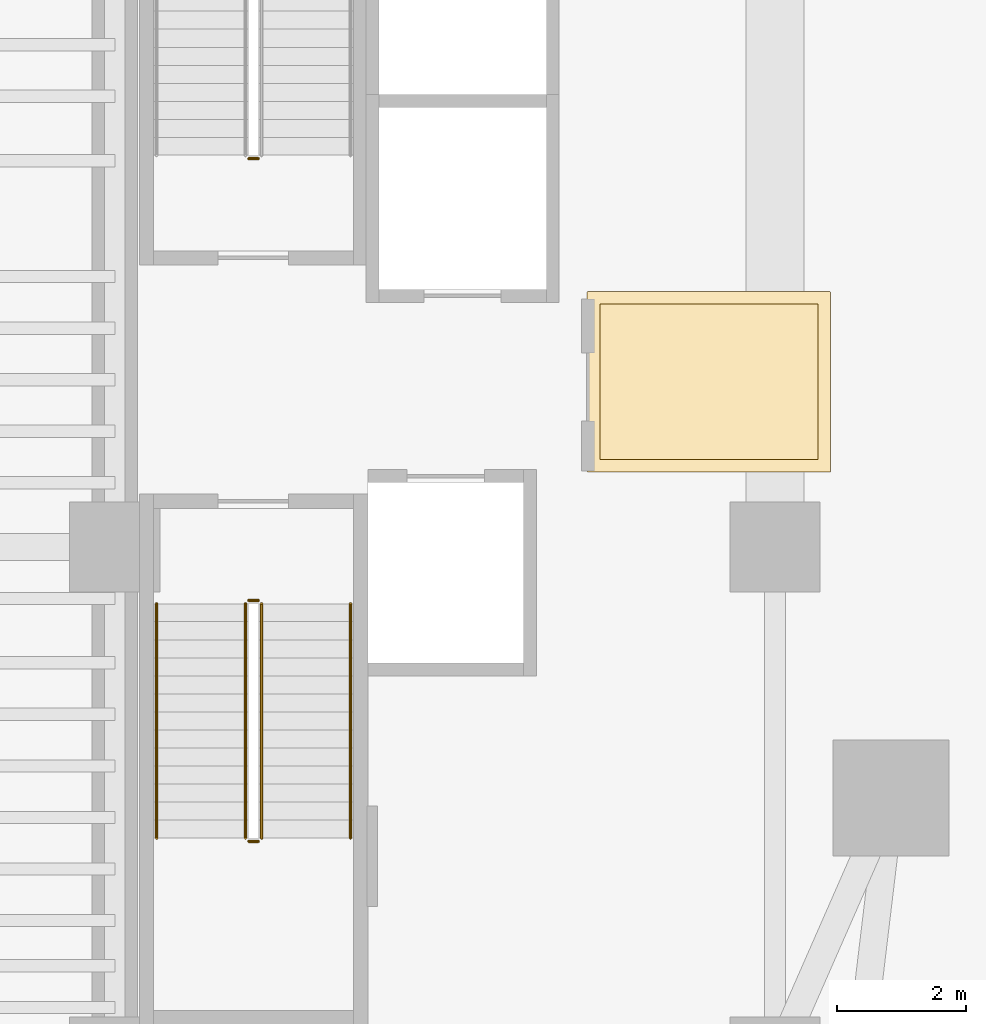
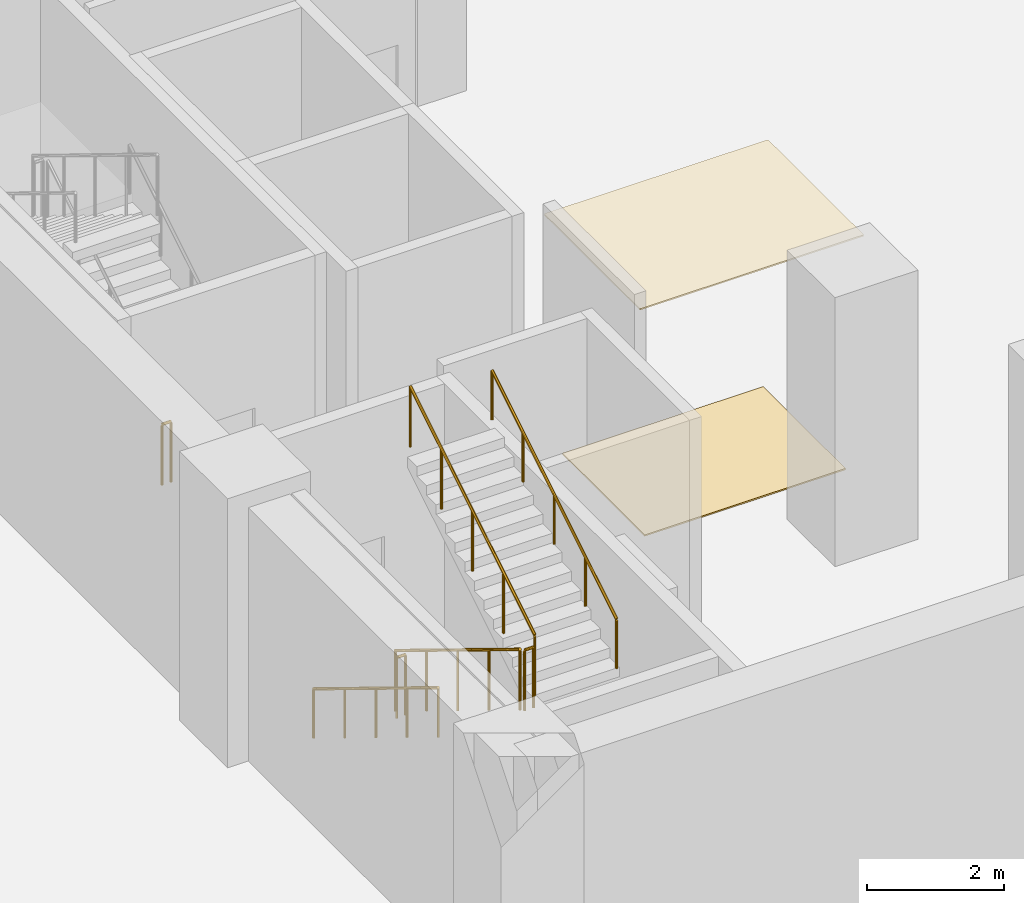
# One storey, part 7 of 10: 7 railings, 2 coverings.
"""IFC4 building model written with IfcOpenShell, lengths in metres."""

from ifc_helpers import new_model, si_unit, direction, frame, origin, origin_2d, place, context, subcontext, project, spatial, polyline, circle, outline, extrude, material, layer, layer_set, type_object, element, save


model = new_model("IFC4")

# Units and contexts
model_context = context("Model", 3, precision=1e-05, world=origin(), true_north=direction((0.0, 1.0)))
body_context = subcontext(model_context, "Body", "Model", "MODEL_VIEW")
ifc_project = project(units=[si_unit("LENGTHUNIT", "METRE"), si_unit("AREAUNIT", "SQUARE_METRE"), si_unit("VOLUMEUNIT", "CUBIC_METRE"), si_unit("PLANEANGLEUNIT", "RADIAN"), si_unit("MASSUNIT", "GRAM", prefix="KILO")], contexts=[model_context])

# Site, building, storey
site_placement = place(None, origin())
site = spatial("IfcSite", under=ifc_project, at=site_placement, CompositionType="ELEMENT")
building_placement = place(site_placement, origin())
building = spatial("IfcBuilding", under=site, at=building_placement, Name="Valdorenza Pilgrim Sanctuary Tower", CompositionType="ELEMENT")
storey_placement = place(building_placement, frame((0.0, 0.0, -4.800048828125)))
storey = spatial("IfcBuildingStorey", under=building, at=storey_placement, Name="B01", CompositionType="ELEMENT", Elevation=-4.800048828125)

# Coverings
ifc_material_1 = material(Name="Micro-perforated acoustic mineral ceiling tile", Category="gypsum")
ifc_layer_1 = layer(ifc_material_1, 0.02490234375, Name="Micro-perforated acoustic mineral ceiling tile")
ifc_layer_set_1 = layer_set([ifc_layer_1], Name="Micro-perforated acoustic mineral ceiling tile")
covering_type_1 = type_object("IfcCoveringType", Name="COV-CLG-ACU", PredefinedType="CEILING", material=ifc_layer_set_1)
covering_1_placement = place(storey_placement, frame((0.0, 0.0, 4.219970703125)))
element("IfcCovering", 1, at=covering_1_placement, inside=storey, type_object=covering_type_1, Name="B01 Core A Passenger Lift Lobby Acoustic Ceiling", PredefinedType="CEILING", context=body_context, shape_type="SweptSolid", body=[
    extrude(outline(polyline([(-15.31494140625, 1.35009765625), (-15.31494140625, 1.3515625), (-15.314697265625, 1.352783203125), (-15.314453125, 1.3544921875), (-15.31396484375, 1.355712890625), (-15.313232421875, 1.357177734375), (-15.3125, 1.3583984375), (-15.3115234375, 1.359619140625), (-15.310546875, 1.360595703125), (-15.3095703125, 1.361572265625), (-15.308349609375, 1.362548828125), (-15.30712890625, 1.36328125), (-15.3056640625, 1.364013671875), (-15.304443359375, 1.364501953125), (-15.302978515625, 1.36474609375), (-15.301513671875, 1.364990234375), (-15.300048828125, 1.364990234375), (-11.550048828125, 1.364990234375), (-11.548583984375, 1.364990234375), (-11.547119140625, 1.36474609375), (-11.545654296875, 1.364501953125), (-11.544189453125, 1.364013671875), (-11.54296875, 1.36328125), (-11.541748046875, 1.362548828125), (-11.54052734375, 1.361572265625), (-11.539306640625, 1.360595703125), (-11.538330078125, 1.359619140625), (-11.53759765625, 1.3583984375), (-11.536865234375, 1.357177734375), (-11.5361328125, 1.355712890625), (-11.53564453125, 1.3544921875), (-11.535400390625, 1.352783203125), (-11.53515625, 1.3515625), (-11.534912109375, 1.35009765625), (-11.534912109375, -1.419921875), (-11.53515625, -1.42138671875), (-11.535400390625, -1.4228515625), (-11.53564453125, -1.42431640625), (-11.5361328125, -1.42578125), (-11.536865234375, -1.427001953125), (-11.53759765625, -1.42822265625), (-11.538330078125, -1.429443359375), (-11.539306640625, -1.4306640625), (-11.54052734375, -1.431640625), (-11.541748046875, -1.4326171875), (-11.54296875, -1.43310546875), (-11.544189453125, -1.433837890625), (-11.545654296875, -1.434326171875), (-11.547119140625, -1.434814453125), (-11.548583984375, -1.434814453125), (-11.550048828125, -1.43505859375), (-15.298095703125, -1.43505859375), (-15.299560546875, -1.434814453125), (-15.30078125, -1.434814453125), (-15.302490234375, -1.434326171875), (-15.3037109375, -1.433837890625), (-15.30517578125, -1.43310546875), (-15.306396484375, -1.4326171875), (-15.3076171875, -1.431640625), (-15.30859375, -1.4306640625), (-15.3095703125, -1.429443359375), (-15.310546875, -1.42822265625), (-15.311279296875, -1.427001953125), (-15.31201171875, -1.42578125), (-15.3125, -1.42431640625), (-15.312744140625, -1.4228515625), (-15.31298828125, -1.42138671875), (-15.31298828125, -1.419921875), (-15.31298828125, 1.244384765625), (-15.31298828125, 1.24462890625), (-15.313720703125, 1.24609375), (-15.314208984375, 1.24755859375), (-15.314697265625, 1.2490234375), (-15.31494140625, 1.25048828125), (-15.31494140625, 1.251953125), (-15.31494140625, 1.35009765625)])), origin(), (0.0, 0.0, 1.0), 0.025146484375),
])
ifc_material_2 = material(Name="Honed travertine stone flooring", Category="masonry")
ifc_layer_2 = layer(ifc_material_2, 0.030029296875, Name="Honed travertine stone flooring")
ifc_layer_set_2 = layer_set([ifc_layer_2], Name="Honed travertine stone flooring")
covering_type_2 = type_object("IfcCoveringType", Name="COV-FLR-TRV", PredefinedType="FLOORING", material=ifc_layer_set_2)
covering_2_placement = place(storey_placement, origin())
element("IfcCovering", 2, at=covering_2_placement, inside=storey, type_object=covering_type_2, Name="B01 Core A Passenger Lift Lobby Flooring", PredefinedType="FLOORING", context=body_context, shape_type="SweptSolid", body=[
    extrude(outline(polyline([(-15.117919921875, 1.169921875), (-11.72998046875, 1.169921875), (-11.72998046875, -1.239990234375), (-15.117919921875, -1.239990234375), (-15.117919921875, 1.169921875)])), origin(), (0.0, 0.0, 1.0), 0.025146484375),
])

# Railings
ifc_material_3 = material(Name="Stainless steel Grade 316", Category="steel")
railing_type_1 = type_object("IfcRailingType", Name="RLG-GRD-1120", PredefinedType="GUARDRAIL", material=ifc_material_3)
railing_1_placement = place(storey_placement, frame((-20.419921875, 3.429931640625, 0.0)))
element("IfcRailing", 3, at=railing_1_placement, inside=storey, type_object=railing_type_1, Name="B01 ST-A1 stair guard 4", PredefinedType="GUARDRAIL", context=body_context, shape_type="SweptSolid", body=[
    extrude(circle(Radius=0.02392578125, at=origin_2d()), frame((0.0, 0.0, 1.076171875), z_axis=(-1.0, 0.0, 0.0), x_axis=(0.0, -1.0, 0.0)), (0.0, 0.0, 1.0), 0.150146484375),
    extrude(circle(Radius=0.02099609375, at=origin_2d()), origin(), (0.0, 0.0, 1.0), 1.052001953125),
    extrude(circle(Radius=0.02099609375, at=origin_2d()), frame((-0.150146484375, 0.0, 0.0)), (0.0, 0.0, 1.0), 1.052001953125),
])
railing_2_placement = place(storey_placement, frame((-20.6201171875, -3.47998046875, 0.17138671875)))
element("IfcRailing", 4, at=railing_2_placement, inside=storey, type_object=railing_type_1, Name="B01 ST-A2 stair guard 1", PredefinedType="GUARDRAIL", context=body_context, shape_type="SweptSolid", body=[
    extrude(circle(Radius=0.02392578125, at=origin_2d()), frame((0.0, 0.0, 1.076171875), z_axis=(0.0, -0.852840387347, 0.522171689878), x_axis=(1.0, 0.0, 0.0)), (0.0, 0.0, 1.0), 4.268310546875),
    extrude(circle(Radius=0.02099609375, at=origin_2d()), origin(), (0.0, 0.0, 1.0), 1.052001953125),
    extrude(circle(Radius=0.02099609375, at=origin_2d()), frame((0.0, -0.91015625, 0.55712890625)), (0.0, 0.0, 1.0), 1.052001953125),
    extrude(circle(Radius=0.02099609375, at=origin_2d()), frame((0.0, -1.820068359375, 1.1142578125)), (0.0, 0.0, 1.0), 1.052001953125),
    extrude(circle(Radius=0.02099609375, at=origin_2d()), frame((0.0, -2.72998046875, 1.671630859375)), (0.0, 0.0, 1.0), 1.052001953125),
    extrude(circle(Radius=0.02099609375, at=origin_2d()), frame((0.0, -3.64013671875, 2.228759765625)), (0.0, 0.0, 1.0), 1.052001953125),
])
railing_3_placement = place(storey_placement, frame((-20.570068359375, -7.169921875, 2.400146484375)))
element("IfcRailing", 5, at=railing_3_placement, inside=storey, type_object=railing_type_1, Name="B01 ST-A2 stair guard 2", PredefinedType="GUARDRAIL", context=body_context, shape_type="SweptSolid", body=[
    extrude(circle(Radius=0.02392578125, at=origin_2d()), frame((0.0, 0.0, 1.076171875), z_axis=(1.0, 0.0, 0.0), x_axis=(0.0, 1.0, 0.0)), (0.0, 0.0, 1.0), 0.150146484375),
    extrude(circle(Radius=0.02099609375, at=origin_2d()), origin(), (0.0, 0.0, 1.0), 1.052001953125),
    extrude(circle(Radius=0.02099609375, at=origin_2d()), frame((0.150146484375, 0.0, 0.0)), (0.0, 0.0, 1.0), 1.052001953125),
])
railing_4_placement = place(storey_placement, frame((-20.3701171875, -7.1201171875, 2.571533203125)))
element("IfcRailing", 6, at=railing_4_placement, inside=storey, type_object=railing_type_1, Name="B01 ST-A2 stair guard 3", PredefinedType="GUARDRAIL", context=body_context, shape_type="SweptSolid", body=[
    extrude(circle(Radius=0.02392578125, at=origin_2d()), frame((0.0, 0.0, 1.076171875), z_axis=(0.0, 0.852865859571, 0.52213008492), x_axis=(-1.0, 0.0, 0.0)), (0.0, 0.0, 1.0), 4.26806640625),
    extrude(circle(Radius=0.02099609375, at=origin_2d()), origin(), (0.0, 0.0, 1.0), 1.052001953125),
    extrude(circle(Radius=0.02099609375, at=origin_2d()), frame((0.0, 0.91015625, 0.55712890625)), (0.0, 0.0, 1.0), 1.052001953125),
    extrude(circle(Radius=0.02099609375, at=origin_2d()), frame((0.0, 1.820068359375, 1.1142578125)), (0.0, 0.0, 1.0), 1.052001953125),
    extrude(circle(Radius=0.02099609375, at=origin_2d()), frame((0.0, 2.72998046875, 1.67138671875)), (0.0, 0.0, 1.0), 1.052001953125),
    extrude(circle(Radius=0.02099609375, at=origin_2d()), frame((0.0, 3.64013671875, 2.228515625)), (0.0, 0.0, 1.0), 1.052001953125),
])
railing_5_placement = place(storey_placement, frame((-20.570068359375, -3.429931640625, 0.0)))
element("IfcRailing", 7, at=railing_5_placement, inside=storey, type_object=railing_type_1, Name="B01 ST-A2 stair guard 4", PredefinedType="GUARDRAIL", context=body_context, shape_type="SweptSolid", body=[
    extrude(circle(Radius=0.02392578125, at=origin_2d()), frame((0.0, 0.0, 1.076171875), z_axis=(1.0, 0.0, 0.0), x_axis=(0.0, 1.0, 0.0)), (0.0, 0.0, 1.0), 0.150146484375),
    extrude(circle(Radius=0.02099609375, at=origin_2d()), origin(), (0.0, 0.0, 1.0), 1.052001953125),
    extrude(circle(Radius=0.02099609375, at=origin_2d()), frame((0.150146484375, 0.0, 0.0)), (0.0, 0.0, 1.0), 1.052001953125),
])
ifc_material_4 = material(Name="Brushed stainless steel Grade 316", Category="steel")
railing_type_2 = type_object("IfcRailingType", Name="RLG-HND-920", PredefinedType="HANDRAIL", material=ifc_material_4)
railing_6_placement = place(storey_placement, frame((-22.0, -3.47998046875, 0.17138671875)))
element("IfcRailing", 8, at=railing_6_placement, inside=storey, type_object=railing_type_2, Name="B01 ST-A2 stair handrail 1", PredefinedType="HANDRAIL", context=body_context, shape_type="SweptSolid", body=[
    extrude(circle(Radius=0.02392578125, at=origin_2d()), frame((0.0, 0.0, 0.8759765625), z_axis=(0.0, -0.852840387347, 0.522171689878), x_axis=(1.0, 0.0, 0.0)), (0.0, 0.0, 1.0), 4.268310546875),
    extrude(circle(Radius=0.02099609375, at=origin_2d()), origin(), (0.0, 0.0, 1.0), 0.851806640625),
    extrude(circle(Radius=0.02099609375, at=origin_2d()), frame((0.0, -0.91015625, 0.55712890625)), (0.0, 0.0, 1.0), 0.851806640625),
    extrude(circle(Radius=0.02099609375, at=origin_2d()), frame((0.0, -1.820068359375, 1.1142578125)), (0.0, 0.0, 1.0), 0.851806640625),
    extrude(circle(Radius=0.02099609375, at=origin_2d()), frame((0.0, -2.72998046875, 1.671630859375)), (0.0, 0.0, 1.0), 0.851806640625),
    extrude(circle(Radius=0.02099609375, at=origin_2d()), frame((0.0, -3.64013671875, 2.228759765625)), (0.0, 0.0, 1.0), 0.851806640625),
])
railing_7_placement = place(storey_placement, frame((-18.989990234375, -7.1201171875, 2.571533203125)))
element("IfcRailing", 9, at=railing_7_placement, inside=storey, type_object=railing_type_2, Name="B01 ST-A2 stair handrail 2", PredefinedType="HANDRAIL", context=body_context, shape_type="SweptSolid", body=[
    extrude(circle(Radius=0.02392578125, at=origin_2d()), frame((0.0, 0.0, 0.8759765625), z_axis=(0.0, 0.852865859571, 0.52213008492), x_axis=(-1.0, 0.0, 0.0)), (0.0, 0.0, 1.0), 4.26806640625),
    extrude(circle(Radius=0.02099609375, at=origin_2d()), origin(), (0.0, 0.0, 1.0), 0.851806640625),
    extrude(circle(Radius=0.02099609375, at=origin_2d()), frame((0.0, 0.91015625, 0.55712890625)), (0.0, 0.0, 1.0), 0.851806640625),
    extrude(circle(Radius=0.02099609375, at=origin_2d()), frame((0.0, 1.820068359375, 1.1142578125)), (0.0, 0.0, 1.0), 0.851806640625),
    extrude(circle(Radius=0.02099609375, at=origin_2d()), frame((0.0, 2.72998046875, 1.67138671875)), (0.0, 0.0, 1.0), 0.851806640625),
    extrude(circle(Radius=0.02099609375, at=origin_2d()), frame((0.0, 3.64013671875, 2.228515625)), (0.0, 0.0, 1.0), 0.851806640625),
])

save(model, "model.ifc")
